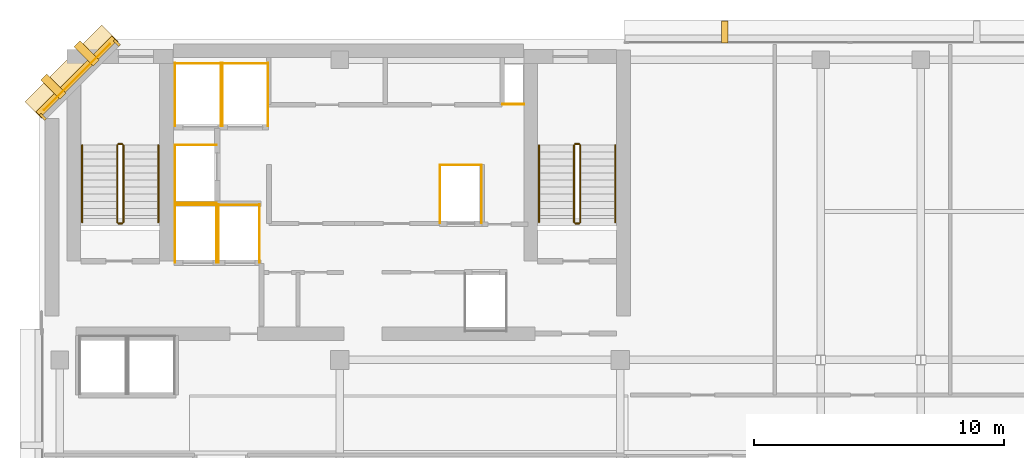
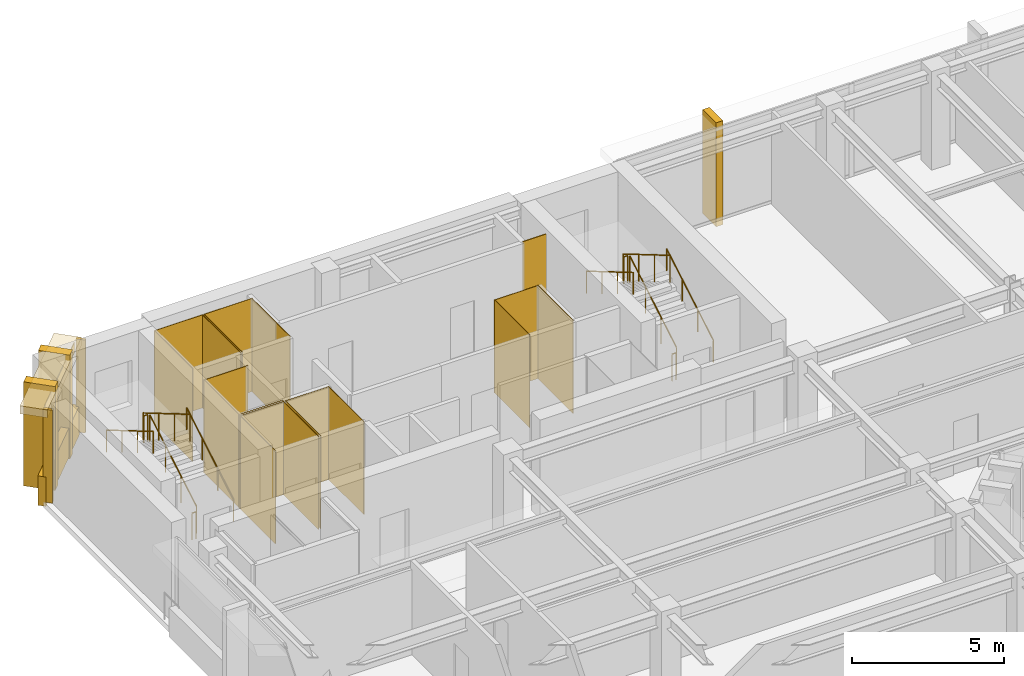
# One storey, part 10 of 11: 27 coverings, 12 railings.
"""IFC4 building model written with IfcOpenShell, lengths in metres."""

from ifc_helpers import new_model, si_unit, direction, frame, origin, origin_2d, place, context, subcontext, project, spatial, polyline, rectangle, circle, outline, extrude, material, layer, layer_set, type_object, element, save


model = new_model("IFC4")

# Units and contexts
model_context = context("Model", 3, precision=1e-05, world=origin(), true_north=direction((0.0, 1.0)))
body_context = subcontext(model_context, "Body", "Model", "MODEL_VIEW")
ifc_project = project(units=[si_unit("LENGTHUNIT", "METRE"), si_unit("AREAUNIT", "SQUARE_METRE"), si_unit("VOLUMEUNIT", "CUBIC_METRE"), si_unit("PLANEANGLEUNIT", "RADIAN"), si_unit("MASSUNIT", "GRAM", prefix="KILO")], contexts=[model_context])

# Site, building, storey
site_placement = place(None, origin())
site = spatial("IfcSite", under=ifc_project, at=site_placement, CompositionType="ELEMENT")
building_placement = place(site_placement, origin())
building = spatial("IfcBuilding", under=site, at=building_placement, Name="Kefirva Bronze Tower", CompositionType="ELEMENT")
storey_placement = place(building_placement, frame((0.0, 0.0, 292.050048828125)))
storey = spatial("IfcBuildingStorey", under=building, at=storey_placement, Name="L71", CompositionType="ELEMENT", Elevation=292.050048828125)

# Coverings
ifc_material_1 = material(Name="Bronze anodised aluminium", Category="aluminium")
ifc_layer_1 = layer(ifc_material_1, 0.02001953125, Name="Bronze anodised aluminium")
ifc_layer_set_1 = layer_set([ifc_layer_1], Name="Bronze anodised aluminium")
covering_type_1 = type_object("IfcCoveringType", Name="Anodised Bronze Spandrel Cladding 20mm", PredefinedType="CLADDING", material=ifc_layer_set_1)
covering_1_placement = place(storey_placement, frame((1.492919921875, 44.507080078125, 3.320068359375), z_axis=(0.0, 0.0, 1.0), x_axis=(-0.707106781187, -0.707106781187, 0.0)))
element("IfcCovering", 1, at=covering_1_placement, inside=storey, type_object=covering_type_1, Name="L71 Bronze Spandrel Cladding 6", PredefinedType="CLADDING", context=body_context, shape_type="SweptSolid", body=[
    extrude(rectangle(XDim=3.719482421875, YDim=0.02001953125, at=origin_2d()), origin(), (0.0, 0.0, 1.0), 0.39990234375),
])
for number, where, z_axis, x_axis, name in (
    (2, (3.08837890625, 45.862060546875, 0.0), (0.0, 0.0, 1.0), (-0.707106781187, -0.707106781187, 0.0), "L71 Facade Joint Closure Panel 6S"),
    (3, (0.137939453125, 42.91162109375, 0.0), (0.0, 0.0, 1.0), (-0.707106781187, -0.707106781187, 0.0), "L71 Facade Joint Closure Panel 6E"),
):
    element("IfcCovering", number, at=place(storey_placement, frame(where, z_axis=z_axis, x_axis=x_axis)), inside=storey, type_object=covering_type_1, Name=name, PredefinedType="CLADDING", context=body_context, shape_type="SweptSolid", body=[
        extrude(rectangle(XDim=0.10009765625, YDim=0.320068359375, at=origin_2d()), origin(), (0.0, 0.0, 1.0), 3.739990234375),
    ])
covering_2_placement = place(storey_placement, frame((1.4716796875, 44.5283203125, -0.16015625), z_axis=(0.0, 0.0, 1.0), x_axis=(-0.707106781187, -0.707106781187, 0.0)))
element("IfcCovering", 4, at=covering_2_placement, inside=storey, type_object=covering_type_1, Name="L71 Streamline Horizontal Spandrel Band 9", PredefinedType="CLADDING", context=body_context, shape_type="SweptSolid", body=[
    extrude(rectangle(XDim=4.28271484375, YDim=0.280029296875, at=origin_2d()), origin(), (0.0, 0.0, 1.0), 1.179931640625),
])
covering_3_placement = place(storey_placement, origin())
element("IfcCovering", 5, at=covering_3_placement, inside=storey, type_object=covering_type_1, Name="L71 Lift FF1 Hoistway Liner N", PredefinedType="CLADDING", context=body_context, shape_type="SweptSolid", body=[
    extrude(outline(polyline([(5.39990234375, 39.389892578125), (7.080078125, 39.389892578125), (7.080078125, 39.409912109375), (5.39990234375, 39.409912109375), (5.39990234375, 39.389892578125)])), origin(), (0.0, 0.0, 1.0), 3.739990234375),
])
covering_4_placement = place(storey_placement, origin())
element("IfcCovering", 6, at=covering_4_placement, inside=storey, type_object=covering_type_1, Name="L71 Lift FF1 Hoistway Liner W", PredefinedType="CLADDING", context=body_context, shape_type="SweptSolid", body=[
    extrude(outline(polyline([(5.409912109375, 37.080078125), (5.429931640625, 37.080078125), (5.429931640625, 39.419921875), (5.409912109375, 39.419921875), (5.409912109375, 37.080078125)])), origin(), (0.0, 0.0, 1.0), 3.739990234375),
])
covering_5_placement = place(storey_placement, origin())
element("IfcCovering", 7, at=covering_5_placement, inside=storey, type_object=covering_type_1, Name="L71 Lift FF1 Hoistway Liner E", PredefinedType="CLADDING", context=body_context, shape_type="SweptSolid", body=[
    extrude(outline(polyline([(7.050048828125, 37.080078125), (7.070068359375, 37.080078125), (7.070068359375, 39.419921875), (7.050048828125, 39.419921875), (7.050048828125, 37.080078125)])), origin(), (0.0, 0.0, 1.0), 3.739990234375),
])
covering_6_placement = place(storey_placement, origin())
element("IfcCovering", 8, at=covering_6_placement, inside=storey, type_object=covering_type_1, Name="L71 Lift FF2 Hoistway Liner N", PredefinedType="CLADDING", context=body_context, shape_type="SweptSolid", body=[
    extrude(outline(polyline([(7.1201171875, 39.389892578125), (8.800048828125, 39.389892578125), (8.800048828125, 39.409912109375), (7.1201171875, 39.409912109375), (7.1201171875, 39.389892578125)])), origin(), (0.0, 0.0, 1.0), 3.739990234375),
])
covering_7_placement = place(storey_placement, origin())
element("IfcCovering", 9, at=covering_7_placement, inside=storey, type_object=covering_type_1, Name="L71 Lift FF2 Hoistway Liner W", PredefinedType="CLADDING", context=body_context, shape_type="SweptSolid", body=[
    extrude(outline(polyline([(7.1298828125, 37.080078125), (7.14990234375, 37.080078125), (7.14990234375, 39.419921875), (7.1298828125, 39.419921875), (7.1298828125, 37.080078125)])), origin(), (0.0, 0.0, 1.0), 3.739990234375),
])
covering_8_placement = place(storey_placement, origin())
element("IfcCovering", 10, at=covering_8_placement, inside=storey, type_object=covering_type_1, Name="L71 Lift FF2 Hoistway Liner E", PredefinedType="CLADDING", context=body_context, shape_type="SweptSolid", body=[
    extrude(outline(polyline([(8.77001953125, 37.080078125), (8.7900390625, 37.080078125), (8.7900390625, 39.419921875), (8.77001953125, 39.419921875), (8.77001953125, 37.080078125)])), origin(), (0.0, 0.0, 1.0), 3.739990234375),
])
covering_9_placement = place(storey_placement, origin())
element("IfcCovering", 11, at=covering_9_placement, inside=storey, type_object=covering_type_1, Name="L71 Lift SV1 Hoistway Liner N", PredefinedType="CLADDING", context=body_context, shape_type="SweptSolid", body=[
    extrude(outline(polyline([(5.39990234375, 45.0400390625), (7.260009765625, 45.0400390625), (7.260009765625, 45.06005859375), (5.39990234375, 45.06005859375), (5.39990234375, 45.0400390625)])), origin(), (0.0, 0.0, 1.0), 3.739990234375),
])
covering_10_placement = place(storey_placement, origin())
element("IfcCovering", 12, at=covering_10_placement, inside=storey, type_object=covering_type_1, Name="L71 Lift SV1 Hoistway Liner W", PredefinedType="CLADDING", context=body_context, shape_type="SweptSolid", body=[
    extrude(outline(polyline([(5.409912109375, 42.530029296875), (5.429931640625, 42.530029296875), (5.429931640625, 45.070068359375), (5.409912109375, 45.070068359375), (5.409912109375, 42.530029296875)])), origin(), (0.0, 0.0, 1.0), 3.739990234375),
])
covering_11_placement = place(storey_placement, origin())
element("IfcCovering", 13, at=covering_11_placement, inside=storey, type_object=covering_type_1, Name="L71 Lift SV1 Hoistway Liner E", PredefinedType="CLADDING", context=body_context, shape_type="SweptSolid", body=[
    extrude(outline(polyline([(7.22998046875, 42.530029296875), (7.25, 42.530029296875), (7.25, 45.070068359375), (7.22998046875, 45.070068359375), (7.22998046875, 42.530029296875)])), origin(), (0.0, 0.0, 1.0), 3.739990234375),
])
covering_12_placement = place(storey_placement, origin())
element("IfcCovering", 14, at=covering_12_placement, inside=storey, type_object=covering_type_1, Name="L71 Lift SV2 Hoistway Liner N", PredefinedType="CLADDING", context=body_context, shape_type="SweptSolid", body=[
    extrude(outline(polyline([(7.280029296875, 45.0400390625), (9.139892578125, 45.0400390625), (9.139892578125, 45.06005859375), (7.280029296875, 45.06005859375), (7.280029296875, 45.0400390625)])), origin(), (0.0, 0.0, 1.0), 3.739990234375),
])
covering_13_placement = place(storey_placement, origin())
element("IfcCovering", 15, at=covering_13_placement, inside=storey, type_object=covering_type_1, Name="L71 Lift SV2 Hoistway Liner W", PredefinedType="CLADDING", context=body_context, shape_type="SweptSolid", body=[
    extrude(outline(polyline([(7.2900390625, 42.530029296875), (7.31005859375, 42.530029296875), (7.31005859375, 45.070068359375), (7.2900390625, 45.070068359375), (7.2900390625, 42.530029296875)])), origin(), (0.0, 0.0, 1.0), 3.739990234375),
])
covering_14_placement = place(storey_placement, origin())
element("IfcCovering", 16, at=covering_14_placement, inside=storey, type_object=covering_type_1, Name="L71 Lift SV2 Hoistway Liner E", PredefinedType="CLADDING", context=body_context, shape_type="SweptSolid", body=[
    extrude(outline(polyline([(9.110107421875, 42.530029296875), (9.1298828125, 42.530029296875), (9.1298828125, 45.070068359375), (9.110107421875, 45.070068359375), (9.110107421875, 42.530029296875)])), origin(), (0.0, 0.0, 1.0), 3.739990234375),
])
covering_15_placement = place(storey_placement, origin())
element("IfcCovering", 17, at=covering_15_placement, inside=storey, type_object=covering_type_1, Name="L71 Lift HP2 Hoistway Liner N", PredefinedType="CLADDING", context=body_context, shape_type="SweptSolid", body=[
    extrude(outline(polyline([(15.97998046875, 40.969970703125), (17.669921875, 40.969970703125), (17.669921875, 40.989990234375), (15.97998046875, 40.989990234375), (15.97998046875, 40.969970703125)])), origin(), (0.0, 0.0, 1.0), 3.739990234375),
])
covering_16_placement = place(storey_placement, origin())
element("IfcCovering", 18, at=covering_16_placement, inside=storey, type_object=covering_type_1, Name="L71 Lift HP2 Hoistway Liner W", PredefinedType="CLADDING", context=body_context, shape_type="SweptSolid", body=[
    extrude(outline(polyline([(15.989990234375, 38.659912109375), (16.010009765625, 38.659912109375), (16.010009765625, 41.0), (15.989990234375, 41.0), (15.989990234375, 38.659912109375)])), origin(), (0.0, 0.0, 1.0), 3.739990234375),
])
covering_17_placement = place(storey_placement, origin())
element("IfcCovering", 19, at=covering_17_placement, inside=storey, type_object=covering_type_1, Name="L71 Lift HP2 Hoistway Liner E", PredefinedType="CLADDING", context=body_context, shape_type="SweptSolid", body=[
    extrude(outline(polyline([(17.639892578125, 38.659912109375), (17.659912109375, 38.659912109375), (17.659912109375, 41.0), (17.639892578125, 41.0), (17.639892578125, 38.659912109375)])), origin(), (0.0, 0.0, 1.0), 3.739990234375),
])
covering_18_placement = place(storey_placement, origin())
element("IfcCovering", 20, at=covering_18_placement, inside=storey, type_object=covering_type_1, Name="L71 Lift HP3 Hoistway Liner N", PredefinedType="CLADDING", context=body_context, shape_type="SweptSolid", body=[
    extrude(outline(polyline([(5.39990234375, 41.77001953125), (7.080078125, 41.77001953125), (7.080078125, 41.7900390625), (5.39990234375, 41.7900390625), (5.39990234375, 41.77001953125)])), origin(), (0.0, 0.0, 1.0), 3.739990234375),
])
covering_19_placement = place(storey_placement, origin())
element("IfcCovering", 21, at=covering_19_placement, inside=storey, type_object=covering_type_1, Name="L71 Lift HP3 Hoistway Liner S", PredefinedType="CLADDING", context=body_context, shape_type="SweptSolid", body=[
    extrude(outline(polyline([(5.39990234375, 39.469970703125), (7.080078125, 39.469970703125), (7.080078125, 39.489990234375), (5.39990234375, 39.489990234375), (5.39990234375, 39.469970703125)])), origin(), (0.0, 0.0, 1.0), 3.739990234375),
])
covering_20_placement = place(storey_placement, origin())
element("IfcCovering", 22, at=covering_20_placement, inside=storey, type_object=covering_type_1, Name="L71 Lift HP3 Hoistway Liner W", PredefinedType="CLADDING", context=body_context, shape_type="SweptSolid", body=[
    extrude(outline(polyline([(5.409912109375, 39.4599609375), (5.429931640625, 39.4599609375), (5.429931640625, 41.800048828125), (5.409912109375, 41.800048828125), (5.409912109375, 39.4599609375)])), origin(), (0.0, 0.0, 1.0), 3.739990234375),
])
covering_21_placement = place(storey_placement, origin())
element("IfcCovering", 23, at=covering_21_placement, inside=storey, type_object=covering_type_1, Name="L71 Core MEP Riser Shaft Liner South", PredefinedType="CLADDING", context=body_context, shape_type="SweptSolid", body=[
    extrude(outline(polyline([(18.47998046875, 43.39990234375), (19.360107421875, 43.39990234375), (19.360107421875, 43.429931640625), (18.47998046875, 43.429931640625), (18.47998046875, 43.39990234375)])), origin(), (0.0, 0.0, 1.0), 3.739990234375),
])

# Railings
ifc_material_2 = material(Name="Stainless steel 316", Category="steel")
railing_type_1 = type_object("IfcRailingType", Name="Interior Stair Guardrail 1100mm", PredefinedType="GUARDRAIL", material=ifc_material_2)
railing_1_placement = place(storey_placement, frame((3.35009765625, 38.699951171875, 0.1650390625)))
element("IfcRailing", 24, at=railing_1_placement, inside=storey, type_object=railing_type_1, Name="L71 ST-1 stair guard 1", PredefinedType="GUARDRAIL", context=body_context, shape_type="SweptSolid", body=[
    extrude(circle(Radius=0.02392578125, at=origin_2d()), frame((0.0, 0.0, 1.076171875), z_axis=(0.0, 0.861551262678, 0.507670583921), x_axis=(-1.0, 0.0, 0.0)), (0.0, 0.0, 1.0), 3.574951171875),
    extrude(circle(Radius=0.02099609375, at=origin_2d()), origin(), (0.0, 0.0, 1.0), 1.052001953125),
    extrude(circle(Radius=0.02099609375, at=origin_2d()), frame((0.0, 1.026611328125, 0.60498046875)), (0.0, 0.0, 1.0), 1.052001953125),
    extrude(circle(Radius=0.02099609375, at=origin_2d()), frame((0.0, 2.053466796875, 1.2099609375)), (0.0, 0.0, 1.0), 1.052001953125),
    extrude(circle(Radius=0.02099609375, at=origin_2d()), frame((0.0, 3.080078125, 1.81494140625)), (0.0, 0.0, 1.0), 1.052001953125),
])
railing_2_placement = place(storey_placement, frame((3.300048828125, 41.830078125, 1.97998046875)))
element("IfcRailing", 25, at=railing_2_placement, inside=storey, type_object=railing_type_1, Name="L71 ST-1 stair guard 2", PredefinedType="GUARDRAIL", context=body_context, shape_type="SweptSolid", body=[
    extrude(circle(Radius=0.02392578125, at=origin_2d()), frame((0.0, 0.0, 1.076171875), z_axis=(-1.0, 0.0, 0.0), x_axis=(0.0, -1.0, 0.0)), (0.0, 0.0, 1.0), 0.150146484375),
    extrude(circle(Radius=0.02099609375, at=origin_2d()), origin(), (0.0, 0.0, 1.0), 1.052001953125),
    extrude(circle(Radius=0.02099609375, at=origin_2d()), frame((-0.150146484375, 0.0, 0.0)), (0.0, 0.0, 1.0), 1.052001953125),
])
railing_3_placement = place(storey_placement, frame((3.10009765625, 41.780029296875, 2.14501953125)))
element("IfcRailing", 26, at=railing_3_placement, inside=storey, type_object=railing_type_1, Name="L71 ST-1 stair guard 3", PredefinedType="GUARDRAIL", context=body_context, shape_type="SweptSolid", body=[
    extrude(circle(Radius=0.02392578125, at=origin_2d()), frame((0.0, 0.0, 1.076171875), z_axis=(0.0, -0.861551262678, 0.507670583921), x_axis=(1.0, 0.0, 0.0)), (0.0, 0.0, 1.0), 3.574951171875),
    extrude(circle(Radius=0.02099609375, at=origin_2d()), origin(), (0.0, 0.0, 1.0), 1.052001953125),
    extrude(circle(Radius=0.02099609375, at=origin_2d()), frame((0.0, -1.026611328125, 0.60498046875)), (0.0, 0.0, 1.0), 1.052001953125),
    extrude(circle(Radius=0.02099609375, at=origin_2d()), frame((0.0, -2.053466796875, 1.2099609375)), (0.0, 0.0, 1.0), 1.052001953125),
    extrude(circle(Radius=0.02099609375, at=origin_2d()), frame((0.0, -3.080078125, 1.81494140625)), (0.0, 0.0, 1.0), 1.052001953125),
])
railing_4_placement = place(storey_placement, frame((3.300048828125, 38.64990234375, 0.0)))
element("IfcRailing", 27, at=railing_4_placement, inside=storey, type_object=railing_type_1, Name="L71 ST-1 stair guard 4", PredefinedType="GUARDRAIL", context=body_context, shape_type="SweptSolid", body=[
    extrude(circle(Radius=0.02392578125, at=origin_2d()), frame((0.0, 0.0, 1.076171875), z_axis=(-1.0, 0.0, 0.0), x_axis=(0.0, -1.0, 0.0)), (0.0, 0.0, 1.0), 0.150146484375),
    extrude(circle(Radius=0.02099609375, at=origin_2d()), origin(), (0.0, 0.0, 1.0), 1.052001953125),
    extrude(circle(Radius=0.02099609375, at=origin_2d()), frame((-0.150146484375, 0.0, 0.0)), (0.0, 0.0, 1.0), 1.052001953125),
])
railing_5_placement = place(storey_placement, frame((21.60009765625, 38.699951171875, 0.1650390625)))
element("IfcRailing", 28, at=railing_5_placement, inside=storey, type_object=railing_type_1, Name="L71 ST-2 stair guard 1", PredefinedType="GUARDRAIL", context=body_context, shape_type="SweptSolid", body=[
    extrude(circle(Radius=0.02392578125, at=origin_2d()), frame((0.0, 0.0, 1.076171875), z_axis=(0.0, 0.861551262678, 0.507670583921), x_axis=(-1.0, 0.0, 0.0)), (0.0, 0.0, 1.0), 3.574951171875),
    extrude(circle(Radius=0.02099609375, at=origin_2d()), origin(), (0.0, 0.0, 1.0), 1.052001953125),
    extrude(circle(Radius=0.02099609375, at=origin_2d()), frame((0.0, 1.026611328125, 0.60498046875)), (0.0, 0.0, 1.0), 1.052001953125),
    extrude(circle(Radius=0.02099609375, at=origin_2d()), frame((0.0, 2.053466796875, 1.2099609375)), (0.0, 0.0, 1.0), 1.052001953125),
    extrude(circle(Radius=0.02099609375, at=origin_2d()), frame((0.0, 3.080078125, 1.81494140625)), (0.0, 0.0, 1.0), 1.052001953125),
])
railing_6_placement = place(storey_placement, frame((21.550048828125, 41.830078125, 1.97998046875)))
element("IfcRailing", 29, at=railing_6_placement, inside=storey, type_object=railing_type_1, Name="L71 ST-2 stair guard 2", PredefinedType="GUARDRAIL", context=body_context, shape_type="SweptSolid", body=[
    extrude(circle(Radius=0.02392578125, at=origin_2d()), frame((0.0, 0.0, 1.076171875), z_axis=(-1.0, 0.0, 0.0), x_axis=(0.0, -1.0, 0.0)), (0.0, 0.0, 1.0), 0.150146484375),
    extrude(circle(Radius=0.02099609375, at=origin_2d()), origin(), (0.0, 0.0, 1.0), 1.052001953125),
    extrude(circle(Radius=0.02099609375, at=origin_2d()), frame((-0.150146484375, 0.0, 0.0)), (0.0, 0.0, 1.0), 1.052001953125),
])
railing_7_placement = place(storey_placement, frame((21.35009765625, 41.780029296875, 2.14501953125)))
element("IfcRailing", 30, at=railing_7_placement, inside=storey, type_object=railing_type_1, Name="L71 ST-2 stair guard 3", PredefinedType="GUARDRAIL", context=body_context, shape_type="SweptSolid", body=[
    extrude(circle(Radius=0.02392578125, at=origin_2d()), frame((0.0, 0.0, 1.076171875), z_axis=(0.0, -0.861551262678, 0.507670583921), x_axis=(1.0, 0.0, 0.0)), (0.0, 0.0, 1.0), 3.574951171875),
    extrude(circle(Radius=0.02099609375, at=origin_2d()), origin(), (0.0, 0.0, 1.0), 1.052001953125),
    extrude(circle(Radius=0.02099609375, at=origin_2d()), frame((0.0, -1.026611328125, 0.60498046875)), (0.0, 0.0, 1.0), 1.052001953125),
    extrude(circle(Radius=0.02099609375, at=origin_2d()), frame((0.0, -2.053466796875, 1.2099609375)), (0.0, 0.0, 1.0), 1.052001953125),
    extrude(circle(Radius=0.02099609375, at=origin_2d()), frame((0.0, -3.080078125, 1.81494140625)), (0.0, 0.0, 1.0), 1.052001953125),
])
railing_8_placement = place(storey_placement, frame((21.550048828125, 38.64990234375, 0.0)))
element("IfcRailing", 31, at=railing_8_placement, inside=storey, type_object=railing_type_1, Name="L71 ST-2 stair guard 4", PredefinedType="GUARDRAIL", context=body_context, shape_type="SweptSolid", body=[
    extrude(circle(Radius=0.02392578125, at=origin_2d()), frame((0.0, 0.0, 1.076171875), z_axis=(-1.0, 0.0, 0.0), x_axis=(0.0, -1.0, 0.0)), (0.0, 0.0, 1.0), 0.150146484375),
    extrude(circle(Radius=0.02099609375, at=origin_2d()), origin(), (0.0, 0.0, 1.0), 1.052001953125),
    extrude(circle(Radius=0.02099609375, at=origin_2d()), frame((-0.150146484375, 0.0, 0.0)), (0.0, 0.0, 1.0), 1.052001953125),
])
railing_type_2 = type_object("IfcRailingType", Name="Stair Pitch Handrail 900mm", PredefinedType="HANDRAIL", material=ifc_material_2)
railing_9_placement = place(storey_placement, frame((4.75, 38.699951171875, 0.1650390625)))
element("IfcRailing", 32, at=railing_9_placement, inside=storey, type_object=railing_type_2, Name="L71 ST-1 stair handrail 1", PredefinedType="HANDRAIL", context=body_context, shape_type="SweptSolid", body=[
    extrude(circle(Radius=0.02392578125, at=origin_2d()), frame((0.0, 0.0, 0.8759765625), z_axis=(0.0, 0.861551262678, 0.507670583921), x_axis=(-1.0, 0.0, 0.0)), (0.0, 0.0, 1.0), 3.574951171875),
    extrude(circle(Radius=0.02099609375, at=origin_2d()), origin(), (0.0, 0.0, 1.0), 0.851806640625),
    extrude(circle(Radius=0.02099609375, at=origin_2d()), frame((0.0, 1.026611328125, 0.60498046875)), (0.0, 0.0, 1.0), 0.851806640625),
    extrude(circle(Radius=0.02099609375, at=origin_2d()), frame((0.0, 2.053466796875, 1.2099609375)), (0.0, 0.0, 1.0), 0.851806640625),
    extrude(circle(Radius=0.02099609375, at=origin_2d()), frame((0.0, 3.080078125, 1.81494140625)), (0.0, 0.0, 1.0), 0.851806640625),
])
railing_10_placement = place(storey_placement, frame((1.699951171875, 41.780029296875, 2.14501953125)))
element("IfcRailing", 33, at=railing_10_placement, inside=storey, type_object=railing_type_2, Name="L71 ST-1 stair handrail 2", PredefinedType="HANDRAIL", context=body_context, shape_type="SweptSolid", body=[
    extrude(circle(Radius=0.02392578125, at=origin_2d()), frame((0.0, 0.0, 0.8759765625), z_axis=(0.0, -0.861551262678, 0.507670583921), x_axis=(1.0, 0.0, 0.0)), (0.0, 0.0, 1.0), 3.574951171875),
    extrude(circle(Radius=0.02099609375, at=origin_2d()), origin(), (0.0, 0.0, 1.0), 0.851806640625),
    extrude(circle(Radius=0.02099609375, at=origin_2d()), frame((0.0, -1.026611328125, 0.60498046875)), (0.0, 0.0, 1.0), 0.851806640625),
    extrude(circle(Radius=0.02099609375, at=origin_2d()), frame((0.0, -2.053466796875, 1.2099609375)), (0.0, 0.0, 1.0), 0.851806640625),
    extrude(circle(Radius=0.02099609375, at=origin_2d()), frame((0.0, -3.080078125, 1.81494140625)), (0.0, 0.0, 1.0), 0.851806640625),
])
railing_11_placement = place(storey_placement, frame((23.0, 38.699951171875, 0.1650390625)))
element("IfcRailing", 34, at=railing_11_placement, inside=storey, type_object=railing_type_2, Name="L71 ST-2 stair handrail 1", PredefinedType="HANDRAIL", context=body_context, shape_type="SweptSolid", body=[
    extrude(circle(Radius=0.02392578125, at=origin_2d()), frame((0.0, 0.0, 0.8759765625), z_axis=(0.0, 0.861551262678, 0.507670583921), x_axis=(-1.0, 0.0, 0.0)), (0.0, 0.0, 1.0), 3.574951171875),
    extrude(circle(Radius=0.02099609375, at=origin_2d()), origin(), (0.0, 0.0, 1.0), 0.851806640625),
    extrude(circle(Radius=0.02099609375, at=origin_2d()), frame((0.0, 1.026611328125, 0.60498046875)), (0.0, 0.0, 1.0), 0.851806640625),
    extrude(circle(Radius=0.02099609375, at=origin_2d()), frame((0.0, 2.053466796875, 1.2099609375)), (0.0, 0.0, 1.0), 0.851806640625),
    extrude(circle(Radius=0.02099609375, at=origin_2d()), frame((0.0, 3.080078125, 1.81494140625)), (0.0, 0.0, 1.0), 0.851806640625),
])
railing_12_placement = place(storey_placement, frame((19.949951171875, 41.780029296875, 2.14501953125)))
element("IfcRailing", 35, at=railing_12_placement, inside=storey, type_object=railing_type_2, Name="L71 ST-2 stair handrail 2", PredefinedType="HANDRAIL", context=body_context, shape_type="SweptSolid", body=[
    extrude(circle(Radius=0.02392578125, at=origin_2d()), frame((0.0, 0.0, 0.8759765625), z_axis=(0.0, -0.861551262678, 0.507670583921), x_axis=(1.0, 0.0, 0.0)), (0.0, 0.0, 1.0), 3.574951171875),
    extrude(circle(Radius=0.02099609375, at=origin_2d()), origin(), (0.0, 0.0, 1.0), 0.851806640625),
    extrude(circle(Radius=0.02099609375, at=origin_2d()), frame((0.0, -1.026611328125, 0.60498046875)), (0.0, 0.0, 1.0), 0.851806640625),
    extrude(circle(Radius=0.02099609375, at=origin_2d()), frame((0.0, -2.053466796875, 1.2099609375)), (0.0, 0.0, 1.0), 0.851806640625),
    extrude(circle(Radius=0.02099609375, at=origin_2d()), frame((0.0, -3.080078125, 1.81494140625)), (0.0, 0.0, 1.0), 0.851806640625),
])

# Coverings
ifc_layer_2 = layer(ifc_material_1, 0.179931640625, Name="Bronze anodised aluminium")
ifc_layer_set_2 = layer_set([ifc_layer_2], Name="Bronze anodised aluminium")
covering_type_2 = type_object("IfcCoveringType", Name="Streamline Bronze Sunshade Eyebrow Cladding 180mm", PredefinedType="CLADDING", material=ifc_layer_set_2)
covering_22_placement = place(storey_placement, frame((1.28076171875, 44.71923828125, 3.419921875), z_axis=(0.0, 0.0, 1.0), x_axis=(-0.707106781187, -0.707106781187, 0.0)))
element("IfcCovering", 36, at=covering_22_placement, inside=storey, type_object=covering_type_2, Name="L71 Streamline Bronze Sunshade Eyebrow 9", PredefinedType="CLADDING", context=body_context, shape_type="SweptSolid", body=[
    extrude(rectangle(XDim=4.322509765625, YDim=0.93994140625, at=origin_2d()), origin(), (0.0, 0.0, 1.0), 0.320068359375),
])
ifc_layer_3 = layer(ifc_material_1, 0.260009765625, Name="Bronze anodised aluminium")
ifc_layer_set_3 = layer_set([ifc_layer_3], Name="Bronze anodised aluminium")
covering_type_3 = type_object("IfcCoveringType", Name="Unbroken Bronze Buttress Fin Cladding 260mm", PredefinedType="CLADDING", material=ifc_layer_set_3)
covering_23_placement = place(storey_placement, frame((27.364013671875, 46.300048828125, -0.22021484375), z_axis=(0.0, 0.0, 1.0), x_axis=(-1.0, 0.0, 0.0)))
element("IfcCovering", 37, at=covering_23_placement, inside=storey, type_object=covering_type_3, Name="L71 Unbroken Vertical Bronze Rib Fin 18", PredefinedType="CLADDING", context=body_context, shape_type="SweptSolid", body=[
    extrude(rectangle(XDim=0.260009765625, YDim=0.8798828125, at=origin_2d()), origin(), (0.0, 0.0, 1.0), 4.179931640625),
])
for number, where, z_axis, x_axis, name in (
    (38, (1.877197265625, 45.44287109375, -0.22021484375), (0.0, 0.0, 1.0), (-0.707106781187, -0.707106781187, 0.0), "L71 Chamfered Corner Buttress Fin Cladding 19"),
    (39, (0.55712890625, 44.122802734375, -0.22021484375), (0.0, 0.0, 1.0), (-0.707106781187, -0.707106781187, 0.0), "L71 Chamfered Corner Buttress Fin Cladding 20"),
):
    element("IfcCovering", number, at=place(storey_placement, frame(where, z_axis=z_axis, x_axis=x_axis)), inside=storey, type_object=covering_type_3, Name=name, PredefinedType="CLADDING", context=body_context, shape_type="SweptSolid", body=[
        extrude(rectangle(XDim=0.340087890625, YDim=1.080078125, at=origin_2d()), origin(), (0.0, 0.0, 1.0), 4.179931640625),
    ])

save(model, "model.ifc")
